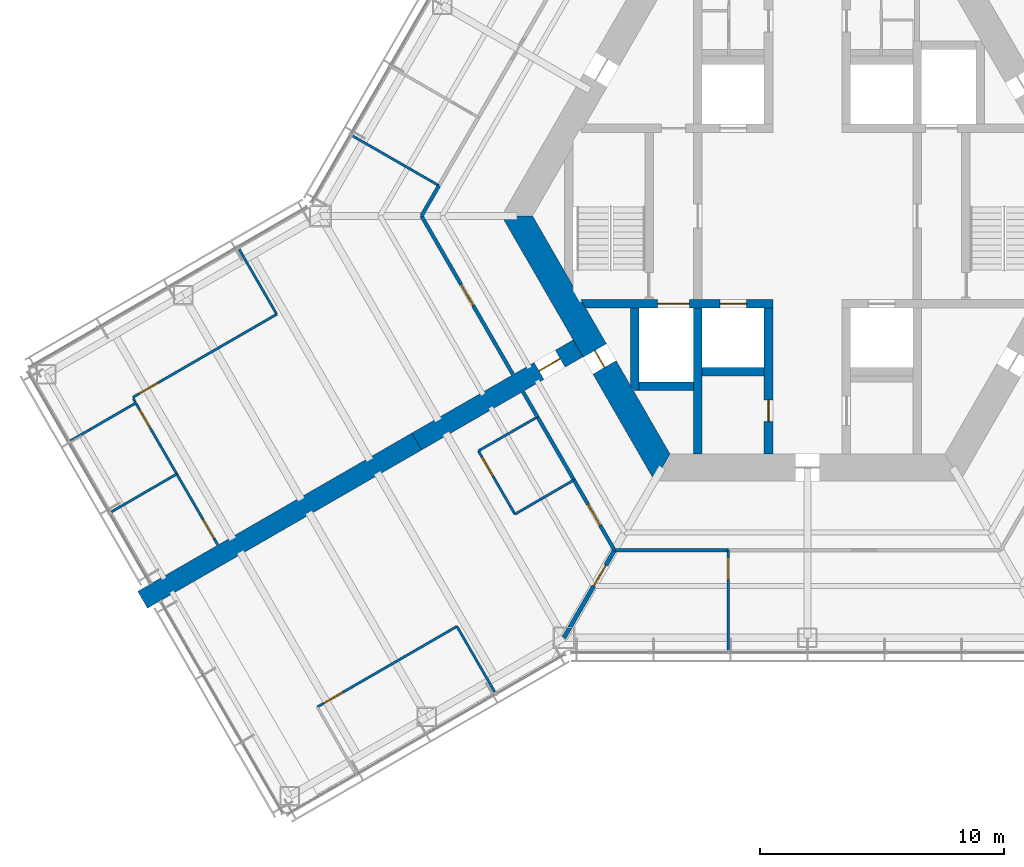
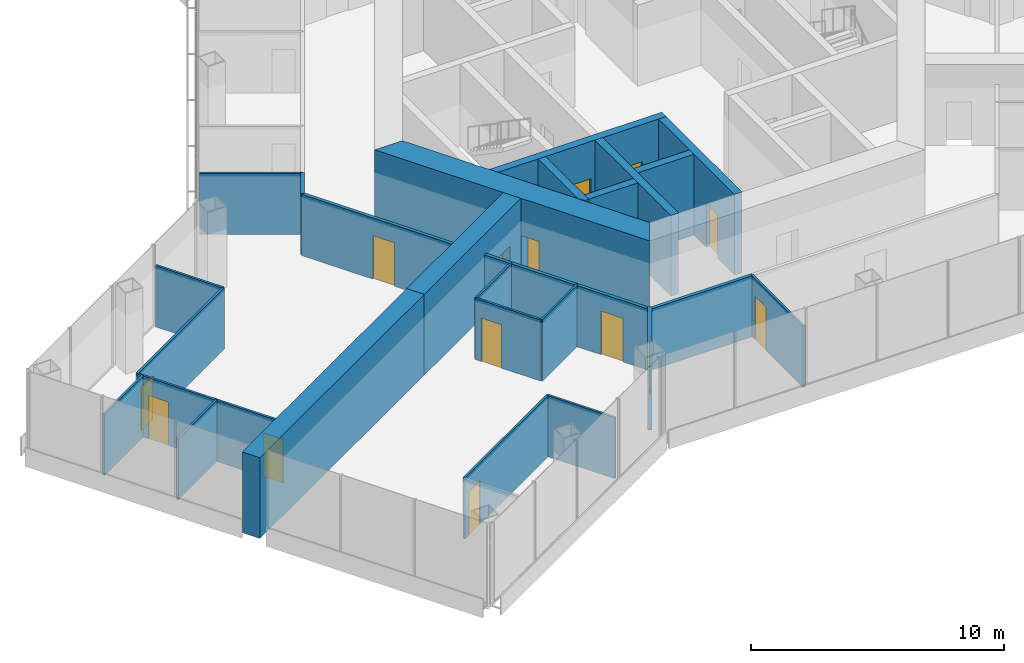
# One storey, part 12 of 19: 30 walls, 14 doors, 14 openings.
"""IFC4 building model written with IfcOpenShell, lengths in metres."""

from ifc_helpers import new_model, si_unit, direction, frame, frame_2d, origin, place, context, subcontext, project, spatial, polyline, rectangle, outline, extrude, material, layer, layer_set, type_object, element, fill, save


model = new_model("IFC4")

# Units and contexts
model_context = context("Model", 3, precision=1e-05, world=origin(), true_north=direction((0.0, 1.0)))
body_context = subcontext(model_context, "Body", "Model", "MODEL_VIEW")
ifc_project = project(units=[si_unit("LENGTHUNIT", "METRE"), si_unit("AREAUNIT", "SQUARE_METRE"), si_unit("VOLUMEUNIT", "CUBIC_METRE"), si_unit("PLANEANGLEUNIT", "RADIAN"), si_unit("MASSUNIT", "GRAM", prefix="KILO")], contexts=[model_context])

# Site, building, storey
site_placement = place(None, origin())
site = spatial("IfcSite", under=ifc_project, at=site_placement, CompositionType="ELEMENT")
building_placement = place(site_placement, origin())
building = spatial("IfcBuilding", under=site, at=building_placement, Name="Kasaneha Research Tower", CompositionType="ELEMENT")
storey_placement = place(building_placement, frame((0.0, 0.0, 100.199951171875)))
storey = spatial("IfcBuildingStorey", under=building, at=storey_placement, Name="L25", CompositionType="ELEMENT", Elevation=100.199951171875)

# Wall, openings, doors
ifc_material_1 = material(Name="Concrete Fc80", Category="concrete")
ifc_layer_1 = layer(ifc_material_1, 0.35009765625)
ifc_layer_set_1 = layer_set([ifc_layer_1], Name="Core internal wall 350 Fc80")
wall_type_1 = type_object("IfcWallType", Name="Core internal wall 350 Fc80", PredefinedType="SHEAR", material=ifc_layer_set_1)
wall_1_placement = place(storey_placement, frame((-9.208740234375, -3.60009765625, 0.0), z_axis=(0.0, 0.0, 1.0), x_axis=(1.0, 0.0, 0.0)))
wall_1 = element("IfcWall", 1, at=wall_1_placement, inside=storey, type_object=wall_type_1, Name="Core wall W2W L25", PredefinedType="SHEAR", context=body_context, shape_type="SweptSolid", body=[
    extrude(outline(polyline([(0.10107421875, -0.175048828125), (3.058837890625, -0.175048828125), (4.35888671875, -0.175048828125), (5.608642578125, -0.175048828125), (6.708740234375, -0.175048828125), (7.78369140625, -0.175048828125), (7.78369140625, 0.175048828125), (6.708740234375, 0.175048828125), (5.608642578125, 0.175048828125), (4.35888671875, 0.175048828125), (3.058837890625, 0.175048828125), (-0.10107421875, 0.175048828125), (0.10107421875, -0.175048828125)])), origin(), (0.0, 0.0, 1.0), 3.900146484375),
])
opening_1_placement = place(wall_1_placement, frame((5.608642578125, 0.0, 0.0)))
opening_1 = element("IfcOpeningElement", 2, at=opening_1_placement, cuts=wall_1, Name="Opening LD-LO2-L25", PredefinedType="OPENING", context=body_context, shape_type="SweptSolid", body=[
    extrude(rectangle(XDim=1.10009765625, YDim=2.10009765625, at=frame_2d((0.550048828125, 1.050048828125))), frame((0.0, 0.18505859375, 0.0), z_axis=(0.0, -1.0, 0.0), x_axis=(1.0, 0.0, 0.0)), (0.0, 0.0, 1.0), 0.3701171875),
])
opening_2_placement = place(wall_1_placement, frame((3.058837890625, 0.0, 0.0)))
opening_2 = element("IfcOpeningElement", 3, at=opening_2_placement, cuts=wall_1, Name="Opening LD-FL2-L25", PredefinedType="OPENING", context=body_context, shape_type="SweptSolid", body=[
    extrude(rectangle(XDim=1.300048828125, YDim=2.10009765625, at=frame_2d((0.64990234375, 1.050048828125))), frame((0.0, 0.18505859375, 0.0), z_axis=(0.0, -1.0, 0.0), x_axis=(1.0, 0.0, 0.0)), (0.0, 0.0, 1.0), 0.3701171875),
])
ifc_material_2 = material(Name="Steel", Category="steel")
door_type_1 = type_object("IfcDoorType", Name="Lift landing door 1100x2100", OperationType="DOUBLE_DOOR_SLIDING", PredefinedType="DOOR", material=ifc_material_2)
door_1_placement = place(opening_1_placement, origin())
door_1 = element("IfcDoor", 4, at=door_1_placement, inside=storey, type_object=door_type_1, Name="Landing door LO2 LD-LO2-L25", OperationType="DOUBLE_DOOR_SLIDING", OverallHeight=2.10009765625, OverallWidth=1.10009765625, PredefinedType="DOOR", context=body_context, shape_type="SweptSolid", body=[
    extrude(rectangle(XDim=1.10009765625, YDim=2.10009765625, at=frame_2d((0.550048828125, 1.050048828125))), frame((0.0, 0.02490234375, 0.0), z_axis=(0.0, -1.0, 0.0), x_axis=(1.0, 0.0, 0.0)), (0.0, 0.0, 1.0), 0.050048828125),
])
fill(opening_1, door_1)
ifc_material_3 = material(Name="Steel", Category="steel")
door_type_2 = type_object("IfcDoorType", Name="Lift landing door 1300x2100", OperationType="DOUBLE_DOOR_SLIDING", PredefinedType="DOOR", material=ifc_material_3)
door_2_placement = place(opening_2_placement, origin())
door_2 = element("IfcDoor", 5, at=door_2_placement, inside=storey, type_object=door_type_2, Name="Landing door FL2 LD-FL2-L25", OperationType="DOUBLE_DOOR_SLIDING", OverallHeight=2.10009765625, OverallWidth=1.300048828125, PredefinedType="DOOR", context=body_context, shape_type="SweptSolid", body=[
    extrude(rectangle(XDim=1.300048828125, YDim=2.10009765625, at=frame_2d((0.64990234375, 1.050048828125))), frame((0.0, 0.02490234375, 0.0), z_axis=(0.0, -1.0, 0.0), x_axis=(1.0, 0.0, 0.0)), (0.0, 0.0, 1.0), 0.050048828125),
])
fill(opening_2, door_2)

# Wall, opening, door
wall_2_placement = place(storey_placement, frame((-1.60009765625, -3.77490234375, 0.0), z_axis=(0.0, 0.0, 1.0), x_axis=(0.0, -1.0, 0.0)))
wall_2 = element("IfcWall", 6, at=wall_2_placement, inside=storey, type_object=wall_type_1, Name="Core wall CSW L25", PredefinedType="SHEAR", context=body_context, shape_type="SweptSolid", body=[
    extrude(rectangle(XDim=6.0, YDim=0.35009765625, at=frame_2d((3.0, 0.0))), origin(), (0.0, 0.0, 1.0), 3.900146484375),
])
opening_3_placement = place(wall_2_placement, frame((3.77490234375, 0.0, 0.0)))
opening_3 = element("IfcOpeningElement", 7, at=opening_3_placement, cuts=wall_2, Name="Opening L25-D16", PredefinedType="OPENING", context=body_context, shape_type="SweptSolid", body=[
    extrude(rectangle(XDim=0.89990234375, YDim=2.10009765625, at=frame_2d((0.449951171875, 1.050048828125))), frame((0.0, 0.18505859375, 0.0), z_axis=(0.0, -1.0, 0.0), x_axis=(1.0, 0.0, 0.0)), (0.0, 0.0, 1.0), 0.3701171875),
])
ifc_material_4 = material(Name="Steel", Category="steel")
door_type_3 = type_object("IfcDoorType", Name="Riser access door FD60 900x2100", OperationType="NOTDEFINED", PredefinedType="DOOR", material=ifc_material_4)
door_3_placement = place(opening_3_placement, origin())
door_3 = element("IfcDoor", 8, at=door_3_placement, inside=storey, type_object=door_type_3, Name="Electrical riser door L25-D16", OperationType="SINGLE_SWING_LEFT", OverallHeight=2.10009765625, OverallWidth=0.89990234375, PredefinedType="DOOR", context=body_context, shape_type="SweptSolid", body=[
    extrude(rectangle(XDim=0.89990234375, YDim=2.10009765625, at=frame_2d((0.449951171875, 1.050048828125))), frame((0.0, 0.02490234375, 0.0), z_axis=(0.0, -1.0, 0.0), x_axis=(1.0, 0.0, 0.0)), (0.0, 0.0, 1.0), 0.050048828125),
])
fill(opening_3, door_3)

# Walls
wall_3_placement = place(storey_placement, frame((-4.5, -3.77490234375, 0.0), z_axis=(0.0, 0.0, 1.0), x_axis=(0.0, -1.0, 0.0)))
element("IfcWall", 9, at=wall_3_placement, inside=storey, type_object=wall_type_1, Name="Core wall SSW L25", PredefinedType="SHEAR", context=body_context, shape_type="SweptSolid", body=[
    extrude(rectangle(XDim=6.0, YDim=0.35009765625, at=frame_2d((3.0, 0.0))), origin(), (0.0, 0.0, 1.0), 3.900146484375),
])
wall_4_placement = place(storey_placement, frame((-4.324951171875, -6.39990234375, 0.0), z_axis=(0.0, 0.0, 1.0), x_axis=(1.0, 0.0, 0.0)))
element("IfcWall", 10, at=wall_4_placement, inside=storey, type_object=wall_type_1, Name="Core wall S1S L25", PredefinedType="SHEAR", context=body_context, shape_type="SweptSolid", body=[
    extrude(rectangle(XDim=2.550048828125, YDim=0.35009765625, at=frame_2d((1.27490234375, 0.0))), origin(), (0.0, 0.0, 1.0), 3.900146484375),
])
wall_5_placement = place(storey_placement, frame((-6.925048828125, -7.0, 0.0), z_axis=(0.0, 0.0, 1.0), x_axis=(1.0, 0.0, 0.0)))
element("IfcWall", 11, at=wall_5_placement, inside=storey, type_object=wall_type_1, Name="Core wall F2S L25", PredefinedType="SHEAR", context=body_context, shape_type="SweptSolid", body=[
    extrude(rectangle(XDim=2.25, YDim=0.35009765625, at=frame_2d((1.125, 0.0))), origin(), (0.0, 0.0, 1.0), 3.900146484375),
])
wall_6_placement = place(storey_placement, frame((-7.10009765625, -3.77490234375, 0.0), z_axis=(0.0, 0.0, 1.0), x_axis=(0.0, -1.0, 0.0)))
element("IfcWall", 12, at=wall_6_placement, inside=storey, type_object=wall_type_1, Name="Core wall F2W L25", PredefinedType="SHEAR", context=body_context, shape_type="SweptSolid", body=[
    extrude(outline(polyline([(0.0, -0.175048828125), (3.174560546875, -0.175048828125), (3.400146484375, 0.0), (3.400146484375, 0.175048828125), (0.0, 0.175048828125), (0.0, -0.175048828125)])), origin(), (0.0, 0.0, 1.0), 3.900146484375),
])

# Wall, opening, door
ifc_material_5 = material(Name="Concrete Fc80", Category="concrete")
ifc_layer_2 = layer(ifc_material_5, 1.10009765625)
ifc_layer_set_2 = layer_set([ifc_layer_2], Name="Core wall 1100 Fc80")
wall_type_2 = type_object("IfcWallType", Name="Core wall 1100 Fc80", PredefinedType="SHEAR", material=ifc_layer_set_2)
wall_7_placement = place(storey_placement, frame((-11.92236328125, 0.0, 0.0), z_axis=(0.0, 0.0, 1.0), x_axis=(0.500004296715, -0.866022923061, 0.0)))
wall_7 = element("IfcWall", 13, at=wall_7_placement, inside=storey, type_object=wall_type_2, Name="Core wall 210 L25", PredefinedType="SHEAR", context=body_context, shape_type="SweptSolid", body=[
    extrude(outline(polyline([(-0.317626953125, -0.550048828125), (6.381103515625, -0.550048828125), (7.18115234375, -0.550048828125), (12.239990234375, -0.550048828125), (11.604736328125, 0.550048828125), (7.18115234375, 0.550048828125), (6.381103515625, 0.550048828125), (0.317626953125, 0.550048828125), (-0.317626953125, -0.550048828125)])), origin(), (0.0, 0.0, 1.0), 3.900146484375),
])
opening_4_placement = place(wall_7_placement, frame((6.381103515625, 0.0, 0.0)))
opening_4 = element("IfcOpeningElement", 14, at=opening_4_placement, cuts=wall_7, Name="Opening L25-D06", PredefinedType="OPENING", context=body_context, shape_type="SweptSolid", body=[
    extrude(rectangle(XDim=0.800048828125, YDim=2.10009765625, at=frame_2d((0.39990234375, 1.050048828125))), frame((0.0, 0.56005859375, 0.0), z_axis=(0.0, -1.0, 0.0), x_axis=(1.0, 0.0, 0.0)), (0.0, 0.0, 1.0), 1.1201171875),
])
ifc_material_6 = material(Name="Steel", Category="steel")
door_type_4 = type_object("IfcDoorType", Name="Riser access door FD60 800x2100", OperationType="NOTDEFINED", PredefinedType="DOOR", material=ifc_material_6)
door_4_placement = place(opening_4_placement, origin())
door_4 = element("IfcDoor", 15, at=door_4_placement, inside=storey, type_object=door_type_4, Name="Duct riser door L25-D06", OperationType="SINGLE_SWING_RIGHT", OverallHeight=2.10009765625, OverallWidth=0.800048828125, PredefinedType="DOOR", context=body_context, shape_type="SweptSolid", body=[
    extrude(rectangle(XDim=0.800048828125, YDim=2.10009765625, at=frame_2d((0.39990234375, 1.050048828125))), frame((0.0, 0.02490234375, 0.0), z_axis=(0.0, -1.0, 0.0), x_axis=(1.0, 0.0, 0.0)), (0.0, 0.0, 1.0), 0.050048828125),
])
fill(opening_4, door_4)

# Walls
ifc_material_7 = material(Name="Gypsum board on steel studs, one layer each side", Category="steel")
ifc_layer_3 = layer(ifc_material_7, 0.10009765625)
ifc_layer_set_3 = layer_set([ifc_layer_3], Name="Office partition 100")
wall_type_3 = type_object("IfcWallType", Name="Office partition 100", PredefinedType="PARTITIONING", material=ifc_layer_set_3)
wall_8_placement = place(storey_placement, frame((-27.5751953125, -7.677978515625, 0.0), z_axis=(0.0, 0.0, 1.0), x_axis=(-0.86525732426, -0.501327999232, 0.0)))
element("IfcWall", 16, at=wall_8_placement, inside=storey, type_object=wall_type_3, Name="Office partition FBN07 L25", PredefinedType="PARTITIONING", context=body_context, shape_type="SweptSolid", body=[
    extrude(rectangle(XDim=3.1005859375, YDim=0.10009765625, at=frame_2d((1.55029296875, 0.0))), origin(), (0.0, 0.0, 1.0), 2.949951171875),
])
wall_9_placement = place(storey_placement, frame((-23.332275390625, -1.36962890625, 0.0), z_axis=(0.0, 0.0, 1.0), x_axis=(0.499992328818, -0.866029832698, 0.0)))
element("IfcWall", 17, at=wall_9_placement, inside=storey, type_object=wall_type_3, Name="Office partition FBN08 L25", PredefinedType="PARTITIONING", context=body_context, shape_type="SweptSolid", body=[
    extrude(rectangle(XDim=3.080078125, YDim=0.10009765625, at=frame_2d((1.5400390625, 0.0))), origin(), (0.0, 0.0, 1.0), 2.949951171875),
])

# Wall, opening, door
wall_10_placement = place(storey_placement, frame((-21.792236328125, -4.037109375, 0.0), z_axis=(0.0, 0.0, 1.0), x_axis=(-0.865970027115, -0.500095902942, 0.0)))
wall_10 = element("IfcWall", 18, at=wall_10_placement, inside=storey, type_object=wall_type_3, Name="Office partition FBN09 L25", PredefinedType="PARTITIONING", context=body_context, shape_type="SweptSolid", body=[
    extrude(rectangle(XDim=6.828369140625, YDim=0.10009765625, at=frame_2d((3.4140625, 0.0))), origin(), (0.0, 0.0, 1.0), 2.949951171875),
])
opening_5_placement = place(wall_10_placement, frame((5.62841796875, 0.0, 0.0)))
opening_5 = element("IfcOpeningElement", 19, at=opening_5_placement, cuts=wall_10, Name="Opening L25-D42", PredefinedType="OPENING", context=body_context, shape_type="SweptSolid", body=[
    extrude(rectangle(XDim=0.89990234375, YDim=2.10009765625, at=frame_2d((0.449951171875, 1.050048828125))), frame((0.0, 0.06005859375, 0.0), z_axis=(0.0, -1.0, 0.0), x_axis=(1.0, 0.0, 0.0)), (0.0, 0.0, 1.0), 0.1201171875),
])
ifc_material_8 = material(Name="Timber veneer", Category="wood")
door_type_5 = type_object("IfcDoorType", Name="Office door 900x2100", OperationType="SINGLE_SWING_LEFT", PredefinedType="DOOR", material=ifc_material_8)
door_5_placement = place(opening_5_placement, origin())
door_5 = element("IfcDoor", 20, at=door_5_placement, inside=storey, type_object=door_type_5, Name="Manager's office door L25-D42", OperationType="SINGLE_SWING_RIGHT", OverallHeight=2.10009765625, OverallWidth=0.89990234375, PredefinedType="DOOR", context=body_context, shape_type="SweptSolid", body=[
    extrude(rectangle(XDim=0.89990234375, YDim=2.10009765625, at=frame_2d((0.449951171875, 1.050048828125))), frame((0.0, 0.02490234375, 0.0), z_axis=(0.0, -1.0, 0.0), x_axis=(1.0, 0.0, 0.0)), (0.0, 0.0, 1.0), 0.050048828125),
])
fill(opening_5, door_5)

# Walls
wall_11_placement = place(storey_placement, frame((-15.13037109375, 1.243408203125, 0.0), z_axis=(0.0, 0.0, 1.0), x_axis=(-0.866568290476, 0.499058511541, 0.0)))
element("IfcWall", 21, at=wall_11_placement, inside=storey, type_object=wall_type_3, Name="Office partition FBN10 L25", PredefinedType="PARTITIONING", context=body_context, shape_type="SweptSolid", body=[
    extrude(rectangle(XDim=4.075439453125, YDim=0.10009765625, at=frame_2d((2.03759765625, 0.0))), origin(), (0.0, 0.0, 1.0), 2.949951171875),
])
wall_12_placement = place(storey_placement, frame((-25.892578125, -10.593994140625, 0.0), z_axis=(0.0, 0.0, 1.0), x_axis=(-0.865232104039, -0.50137152506, 0.0)))
element("IfcWall", 22, at=wall_12_placement, inside=storey, type_object=wall_type_3, Name="Office partition FBN12 L25", PredefinedType="PARTITIONING", context=body_context, shape_type="SweptSolid", body=[
    extrude(rectangle(XDim=3.099853515625, YDim=0.10009765625, at=frame_2d((1.5498046875, 0.0))), origin(), (0.0, 0.0, 1.0), 2.949951171875),
])

# Wall, opening, door
wall_13_placement = place(storey_placement, frame((-27.576904296875, -7.6845703125, 0.0), z_axis=(0.0, 0.0, 1.0), x_axis=(0.499929606556, -0.866066041644, 0.0)))
wall_13 = element("IfcWall", 23, at=wall_13_placement, inside=storey, type_object=wall_type_3, Name="Office partition FBN13 L25", PredefinedType="PARTITIONING", context=body_context, shape_type="SweptSolid", body=[
    extrude(rectangle(XDim=3.36669921875, YDim=0.10009765625, at=frame_2d((1.683349609375, 0.0))), origin(), (0.0, 0.0, 1.0), 2.949951171875),
])
opening_6_placement = place(wall_13_placement, frame((0.300048828125, 0.0, 0.0)))
opening_6 = element("IfcOpeningElement", 24, at=opening_6_placement, cuts=wall_13, Name="Opening L25-D44", PredefinedType="OPENING", context=body_context, shape_type="SweptSolid", body=[
    extrude(rectangle(XDim=0.89990234375, YDim=2.10009765625, at=frame_2d((0.449951171875, 1.050048828125))), frame((0.0, 0.06005859375, 0.0), z_axis=(0.0, -1.0, 0.0), x_axis=(1.0, 0.0, 0.0)), (0.0, 0.0, 1.0), 0.1201171875),
])
door_6_placement = place(opening_6_placement, origin())
door_6 = element("IfcDoor", 25, at=door_6_placement, inside=storey, type_object=door_type_5, Name="Manager's office door L25-D44", OperationType="SINGLE_SWING_LEFT", OverallHeight=2.10009765625, OverallWidth=0.89990234375, PredefinedType="DOOR", context=body_context, shape_type="SweptSolid", body=[
    extrude(rectangle(XDim=0.89990234375, YDim=2.10009765625, at=frame_2d((0.449951171875, 1.050048828125))), frame((0.0, 0.02490234375, 0.0), z_axis=(0.0, -1.0, 0.0), x_axis=(1.0, 0.0, 0.0)), (0.0, 0.0, 1.0), 0.050048828125),
])
fill(opening_6, door_6)

wall_14_placement = place(storey_placement, frame((-25.893798828125, -10.600341796875, 0.0), z_axis=(0.0, 0.0, 1.0), x_axis=(0.501088030279, -0.865396317251, 0.0)))
wall_14 = element("IfcWall", 26, at=wall_14_placement, inside=storey, type_object=wall_type_3, Name="Office partition FBN14 L25", PredefinedType="PARTITIONING", context=body_context, shape_type="SweptSolid", body=[
    extrude(rectangle(XDim=3.3466796875, YDim=0.10009765625, at=frame_2d((1.67333984375, 0.0))), origin(), (0.0, 0.0, 1.0), 2.949951171875),
])
opening_7_placement = place(wall_14_placement, frame((2.146728515625, 0.0, 0.0)))
opening_7 = element("IfcOpeningElement", 27, at=opening_7_placement, cuts=wall_14, Name="Opening L25-D45", PredefinedType="OPENING", context=body_context, shape_type="SweptSolid", body=[
    extrude(rectangle(XDim=0.89990234375, YDim=2.10009765625, at=frame_2d((0.449951171875, 1.050048828125))), frame((0.0, 0.06005859375, 0.0), z_axis=(0.0, -1.0, 0.0), x_axis=(1.0, 0.0, 0.0)), (0.0, 0.0, 1.0), 0.1201171875),
])
door_7_placement = place(opening_7_placement, origin())
door_7 = element("IfcDoor", 28, at=door_7_placement, inside=storey, type_object=door_type_5, Name="Manager's office door L25-D45", OperationType="SINGLE_SWING_RIGHT", OverallHeight=2.10009765625, OverallWidth=0.89990234375, PredefinedType="DOOR", context=body_context, shape_type="SweptSolid", body=[
    extrude(rectangle(XDim=0.89990234375, YDim=2.10009765625, at=frame_2d((0.449951171875, 1.050048828125))), frame((0.0, 0.02490234375, 0.0), z_axis=(0.0, -1.0, 0.0), x_axis=(1.0, 0.0, 0.0)), (0.0, 0.0, 1.0), 0.050048828125),
])
fill(opening_7, door_7)

# Wall
wall_15_placement = place(storey_placement, frame((-13.510986328125, -9.648193359375, 0.0), z_axis=(0.0, 0.0, 1.0), x_axis=(0.86679607088, 0.498662783358, 0.0)))
element("IfcWall", 29, at=wall_15_placement, inside=storey, type_object=wall_type_3, Name="Office partition FBS04 L25", PredefinedType="PARTITIONING", context=body_context, shape_type="SweptSolid", body=[
    extrude(rectangle(XDim=2.800048828125, YDim=0.10009765625, at=frame_2d((1.39990234375, 0.0))), origin(), (0.0, 0.0, 1.0), 2.949951171875),
])

# Wall, opening, door
wall_16_placement = place(storey_placement, frame((-12.010986328125, -12.24609375, 0.0), z_axis=(0.0, 0.0, 1.0), x_axis=(-0.50002537861, 0.866010750942, 0.0)))
wall_16 = element("IfcWall", 30, at=wall_16_placement, inside=storey, type_object=wall_type_3, Name="Office partition FBS05 L25", PredefinedType="PARTITIONING", context=body_context, shape_type="SweptSolid", body=[
    extrude(rectangle(XDim=2.999755859375, YDim=0.10009765625, at=frame_2d((1.5, 0.0))), origin(), (0.0, 0.0, 1.0), 2.949951171875),
])
opening_8_placement = place(wall_16_placement, frame((1.800048828125, 0.0, 0.0)))
opening_8 = element("IfcOpeningElement", 31, at=opening_8_placement, cuts=wall_16, Name="Opening L25-D48", PredefinedType="OPENING", context=body_context, shape_type="SweptSolid", body=[
    extrude(rectangle(XDim=0.89990234375, YDim=2.10009765625, at=frame_2d((0.449951171875, 1.050048828125))), frame((0.0, 0.06005859375, 0.0), z_axis=(0.0, -1.0, 0.0), x_axis=(1.0, 0.0, 0.0)), (0.0, 0.0, 1.0), 0.1201171875),
])
door_8_placement = place(opening_8_placement, origin())
door_8 = element("IfcDoor", 32, at=door_8_placement, inside=storey, type_object=door_type_5, Name="Pantry door L25-D48", OperationType="SINGLE_SWING_RIGHT", OverallHeight=2.10009765625, OverallWidth=0.89990234375, PredefinedType="DOOR", context=body_context, shape_type="SweptSolid", body=[
    extrude(rectangle(XDim=0.89990234375, YDim=2.10009765625, at=frame_2d((0.449951171875, 1.050048828125))), frame((0.0, 0.02490234375, 0.0), z_axis=(0.0, -1.0, 0.0), x_axis=(1.0, 0.0, 0.0)), (0.0, 0.0, 1.0), 0.050048828125),
])
fill(opening_8, door_8)

# Wall
wall_17_placement = place(storey_placement, frame((-9.58837890625, -10.84228515625, 0.0), z_axis=(0.0, 0.0, 1.0), x_axis=(-0.865233198925, -0.501369635576, 0.0)))
element("IfcWall", 33, at=wall_17_placement, inside=storey, type_object=wall_type_3, Name="Office partition FBS06 L25", PredefinedType="PARTITIONING", context=body_context, shape_type="SweptSolid", body=[
    extrude(rectangle(XDim=2.800048828125, YDim=0.10009765625, at=frame_2d((1.39990234375, 0.0))), origin(), (0.0, 0.0, 1.0), 2.949951171875),
])

# Wall, opening, door
wall_18_placement = place(storey_placement, frame((-20.125, -20.163818359375, 0.0), z_axis=(0.0, 0.0, 1.0), x_axis=(0.866030817826, 0.499990622488, 0.0)))
wall_18 = element("IfcWall", 34, at=wall_18_placement, inside=storey, type_object=wall_type_3, Name="Office partition FBS07 L25", PredefinedType="PARTITIONING", context=body_context, shape_type="SweptSolid", body=[
    extrude(rectangle(XDim=6.619873046875, YDim=0.10009765625, at=frame_2d((3.31005859375, 0.0))), origin(), (0.0, 0.0, 1.0), 2.949951171875),
])
opening_9_placement = place(wall_18_placement, frame((0.300048828125, 0.0, 0.0)))
opening_9 = element("IfcOpeningElement", 35, at=opening_9_placement, cuts=wall_18, Name="Opening L25-D49", PredefinedType="OPENING", context=body_context, shape_type="SweptSolid", body=[
    extrude(rectangle(XDim=0.89990234375, YDim=2.10009765625, at=frame_2d((0.449951171875, 1.050048828125))), frame((0.0, 0.06005859375, 0.0), z_axis=(0.0, -1.0, 0.0), x_axis=(1.0, 0.0, 0.0)), (0.0, 0.0, 1.0), 0.1201171875),
])
door_9_placement = place(opening_9_placement, origin())
door_9 = element("IfcDoor", 36, at=door_9_placement, inside=storey, type_object=door_type_5, Name="Manager's office door L25-D49", OperationType="SINGLE_SWING_LEFT", OverallHeight=2.10009765625, OverallWidth=0.89990234375, PredefinedType="DOOR", context=body_context, shape_type="SweptSolid", body=[
    extrude(rectangle(XDim=0.89990234375, YDim=2.10009765625, at=frame_2d((0.449951171875, 1.050048828125))), frame((0.0, 0.02490234375, 0.0), z_axis=(0.0, -1.0, 0.0), x_axis=(1.0, 0.0, 0.0)), (0.0, 0.0, 1.0), 0.050048828125),
])
fill(opening_9, door_9)

# Wall
wall_19_placement = place(storey_placement, frame((-14.39208984375, -16.85400390625, 0.0), z_axis=(0.0, 0.0, 1.0), x_axis=(0.499933790963, -0.866063626216, 0.0)))
element("IfcWall", 37, at=wall_19_placement, inside=storey, type_object=wall_type_3, Name="Office partition FBS09 L25", PredefinedType="PARTITIONING", context=body_context, shape_type="SweptSolid", body=[
    extrude(rectangle(XDim=3.10009765625, YDim=0.10009765625, at=frame_2d((1.550048828125, 0.0))), origin(), (0.0, 0.0, 1.0), 2.949951171875),
])

# Wall, opening, door
wall_20_placement = place(storey_placement, frame((-3.2509765625, -13.72509765625, 0.0), z_axis=(0.0, 0.0, 1.0), x_axis=(0.001125791785, -0.999999366296, 0.0)))
wall_20 = element("IfcWall", 38, at=wall_20_placement, inside=storey, type_object=wall_type_3, Name="Office partition FCS12 L25", PredefinedType="PARTITIONING", context=body_context, shape_type="SweptSolid", body=[
    extrude(rectangle(XDim=4.120361328125, YDim=0.10009765625, at=frame_2d((2.06005859375, 0.0))), origin(), (0.0, 0.0, 1.0), 2.949951171875),
])
opening_10_placement = place(wall_20_placement, frame((0.300048828125, 0.0, 0.0)))
opening_10 = element("IfcOpeningElement", 39, at=opening_10_placement, cuts=wall_20, Name="Opening L25-D56", PredefinedType="OPENING", context=body_context, shape_type="SweptSolid", body=[
    extrude(rectangle(XDim=0.89990234375, YDim=2.10009765625, at=frame_2d((0.449951171875, 1.050048828125))), frame((0.0, 0.06005859375, 0.0), z_axis=(0.0, -1.0, 0.0), x_axis=(1.0, 0.0, 0.0)), (0.0, 0.0, 1.0), 0.1201171875),
])
door_10_placement = place(opening_10_placement, origin())
door_10 = element("IfcDoor", 40, at=door_10_placement, inside=storey, type_object=door_type_5, Name="Meeting room door L25-D56", OperationType="SINGLE_SWING_LEFT", OverallHeight=2.10009765625, OverallWidth=0.89990234375, PredefinedType="DOOR", context=body_context, shape_type="SweptSolid", body=[
    extrude(rectangle(XDim=0.89990234375, YDim=2.10009765625, at=frame_2d((0.449951171875, 1.050048828125))), frame((0.0, 0.02490234375, 0.0), z_axis=(0.0, -1.0, 0.0), x_axis=(1.0, 0.0, 0.0)), (0.0, 0.0, 1.0), 0.050048828125),
])
fill(opening_10, door_10)

# Wall
wall_21_placement = place(storey_placement, frame((-27.680419921875, -7.495361328125, 0.0), z_axis=(0.0, 0.0, 1.0), x_axis=(0.498100166939, -0.867119497933, 0.0)))
element("IfcWall", 41, at=wall_21_placement, inside=storey, type_object=wall_type_3, Name="Office partition closer PT5 L25", PredefinedType="PARTITIONING", context=body_context, shape_type="SweptSolid", body=[
    extrude(rectangle(XDim=0.160888671875, YDim=0.10009765625, at=frame_2d((0.08056640625, 0.0))), origin(), (0.0, 0.0, 1.0), 2.949951171875),
])

# Wall, opening, door
ifc_material_9 = material(Name="Concrete Fc80", Category="concrete")
ifc_layer_4 = layer(ifc_material_9, 0.800048828125)
ifc_layer_set_4 = layer_set([ifc_layer_4], Name="Spine wall 800 Fc80")
wall_type_4 = type_object("IfcWallType", Name="Spine wall 800 Fc80", PredefinedType="SHEAR", material=ifc_layer_set_4)
wall_22_placement = place(storey_placement, frame((-9.41796875, -5.4375, 0.0), z_axis=(0.0, 0.0, 1.0), x_axis=(-0.866029782078, -0.499992416496, 0.0)))
wall_22 = element("IfcWall", 42, at=wall_22_placement, inside=storey, type_object=wall_type_4, Name="Spine wall B L25", PredefinedType="SHEAR", context=body_context, shape_type="SweptSolid", body=[
    extrude(rectangle(XDim=7.6455078125, YDim=0.800048828125, at=frame_2d((3.82275390625, 0.0))), origin(), (0.0, 0.0, 1.0), 3.900146484375),
])
opening_11_placement = place(wall_22_placement, frame((0.85009765625, 0.0, 0.0)))
opening_11 = element("IfcOpeningElement", 43, at=opening_11_placement, cuts=wall_22, Name="Opening L25-D18", PredefinedType="OPENING", context=body_context, shape_type="SweptSolid", body=[
    extrude(rectangle(XDim=1.0, YDim=2.10009765625, at=frame_2d((0.5, 1.050048828125))), frame((0.0, 0.41015625, 0.0), z_axis=(0.0, -1.0, 0.0), x_axis=(1.0, 0.0, 0.0)), (0.0, 0.0, 1.0), 0.820068359375),
])
ifc_material_10 = material(Name="Steel", Category="steel")
door_type_6 = type_object("IfcDoorType", Name="Specified fire door FD60 1000x2100", OperationType="NOTDEFINED", PredefinedType="DOOR", material=ifc_material_10)
door_11_placement = place(opening_11_placement, origin())
door_11 = element("IfcDoor", 44, at=door_11_placement, inside=storey, type_object=door_type_6, Name="Spine doorway B L25-D18", OperationType="SINGLE_SWING_LEFT", OverallHeight=2.10009765625, OverallWidth=1.0, PredefinedType="DOOR", context=body_context, shape_type="SweptSolid", body=[
    extrude(rectangle(XDim=1.0, YDim=2.10009765625, at=frame_2d((0.5, 1.050048828125))), frame((0.0, 0.02490234375, 0.0), z_axis=(0.0, -1.0, 0.0), x_axis=(1.0, 0.0, 0.0)), (0.0, 0.0, 1.0), 0.050048828125),
])
fill(opening_11, door_11)

# Walls
wall_23_placement = place(storey_placement, frame((-16.039306640625, -9.26025390625, 0.0), z_axis=(0.0, 0.0, 1.0), x_axis=(-0.866024837091, -0.50000098154, 0.0)))
element("IfcWall", 45, at=wall_23_placement, inside=storey, type_object=wall_type_4, Name="Spine wall B wing L25", PredefinedType="SHEAR", context=body_context, shape_type="SweptSolid", body=[
    extrude(rectangle(XDim=13.0, YDim=0.800048828125, at=frame_2d((6.5, 0.0))), origin(), (0.0, 0.0, 1.0), 3.900146484375),
])
ifc_material_11 = material(Name="Gypsum board on steel studs, two layers each side", Category="steel")
ifc_layer_5 = layer(ifc_material_11, 0.14990234375)
ifc_layer_set_5 = layer_set([ifc_layer_5], Name="Suite partition 150")
wall_type_5 = type_object("IfcWallType", Name="Suite partition 150", PredefinedType="PARTITIONING", material=ifc_layer_set_5)
wall_24_placement = place(storey_placement, frame((-15.848388671875, 0.0, 0.0), z_axis=(0.0, 0.0, 1.0), x_axis=(0.500070785171, 0.86598453209, 0.0)))
element("IfcWall", 46, at=wall_24_placement, inside=storey, type_object=wall_type_5, Name="Suite partition FBN04 L25", PredefinedType="PARTITIONING", context=body_context, shape_type="SweptSolid", body=[
    extrude(rectangle(XDim=1.435791015625, YDim=0.14990234375, at=frame_2d((0.7177734375, 0.0))), origin(), (0.0, 0.0, 1.0), 2.949951171875),
])

# Wall, opening, door
wall_25_placement = place(storey_placement, frame((-12.09619140625, -6.498779296875, 0.0), z_axis=(0.0, 0.0, 1.0), x_axis=(-0.500012521841, 0.866018174175, 0.0)))
wall_25 = element("IfcWall", 47, at=wall_25_placement, inside=storey, type_object=wall_type_5, Name="Suite partition FBN05 L25", PredefinedType="PARTITIONING", context=body_context, shape_type="SweptSolid", body=[
    extrude(rectangle(XDim=7.504150390625, YDim=0.14990234375, at=frame_2d((3.751953125, 0.0))), origin(), (0.0, 0.0, 1.0), 2.949951171875),
])
opening_12_placement = place(wall_25_placement, frame((3.252197265625, 0.0, 0.0)))
opening_12 = element("IfcOpeningElement", 48, at=opening_12_placement, cuts=wall_25, Name="Opening L25-D40", PredefinedType="OPENING", context=body_context, shape_type="SweptSolid", body=[
    extrude(rectangle(XDim=1.0, YDim=2.10009765625, at=frame_2d((0.5, 1.050048828125))), frame((0.0, 0.0849609375, 0.0), z_axis=(0.0, -1.0, 0.0), x_axis=(1.0, 0.0, 0.0)), (0.0, 0.0, 1.0), 0.169921875),
])
ifc_material_12 = material(Name="Steel", Category="steel")
door_type_7 = type_object("IfcDoorType", Name="Suite entrance door FD60 1000x2100", OperationType="NOTDEFINED", PredefinedType="DOOR", material=ifc_material_12)
door_12_placement = place(opening_12_placement, origin())
door_12 = element("IfcDoor", 49, at=door_12_placement, inside=storey, type_object=door_type_7, Name="Suite entrance door L25-D40", OperationType="SINGLE_SWING_RIGHT", OverallHeight=2.10009765625, OverallWidth=1.0, PredefinedType="DOOR", context=body_context, shape_type="SweptSolid", body=[
    extrude(rectangle(XDim=1.0, YDim=2.10009765625, at=frame_2d((0.5, 1.050048828125))), frame((0.0, 0.02490234375, 0.0), z_axis=(0.0, -1.0, 0.0), x_axis=(1.0, 0.0, 0.0)), (0.0, 0.0, 1.0), 0.050048828125),
])
fill(opening_12, door_12)

# Walls
wall_26_placement = place(storey_placement, frame((-9.583740234375, -10.8505859375, 0.0), z_axis=(0.0, 0.0, 1.0), x_axis=(-0.499977562641, 0.866038357612, 0.0)))
element("IfcWall", 50, at=wall_26_placement, inside=storey, type_object=wall_type_5, Name="Suite partition FBS01 L25", PredefinedType="PARTITIONING", context=body_context, shape_type="SweptSolid", body=[
    extrude(rectangle(XDim=3.010009765625, YDim=0.14990234375, at=frame_2d((1.5048828125, 0.0))), origin(), (0.0, 0.0, 1.0), 2.949951171875),
])
wall_27_placement = place(storey_placement, frame((-11.083984375, -8.251953125, 0.0), z_axis=(0.0, 0.0, 1.0), x_axis=(-0.500085263423, 0.865976171327, 0.0)))
element("IfcWall", 51, at=wall_27_placement, inside=storey, type_object=wall_type_5, Name="Suite partition FBS02 L25", PredefinedType="PARTITIONING", context=body_context, shape_type="SweptSolid", body=[
    extrude(rectangle(XDim=1.184326171875, YDim=0.14990234375, at=frame_2d((0.59228515625, 0.0))), origin(), (0.0, 0.0, 1.0), 2.949951171875),
])

# Wall, opening, door
wall_28_placement = place(storey_placement, frame((-7.935791015625, -13.705078125, 0.0), z_axis=(0.0, 0.0, 1.0), x_axis=(-0.499944092787, 0.866057679423, 0.0)))
wall_28 = element("IfcWall", 52, at=wall_28_placement, inside=storey, type_object=wall_type_5, Name="Suite partition FBS03 L25", PredefinedType="PARTITIONING", context=body_context, shape_type="SweptSolid", body=[
    extrude(rectangle(XDim=3.3056640625, YDim=0.14990234375, at=frame_2d((1.65283203125, 0.0))), origin(), (0.0, 0.0, 1.0), 2.949951171875),
])
opening_13_placement = place(wall_28_placement, frame((1.15283203125, 0.0, 0.0)))
opening_13 = element("IfcOpeningElement", 53, at=opening_13_placement, cuts=wall_28, Name="Opening L25-D47", PredefinedType="OPENING", context=body_context, shape_type="SweptSolid", body=[
    extrude(rectangle(XDim=1.0, YDim=2.10009765625, at=frame_2d((0.5, 1.050048828125))), frame((0.0, 0.0849609375, 0.0), z_axis=(0.0, -1.0, 0.0), x_axis=(1.0, 0.0, 0.0)), (0.0, 0.0, 1.0), 0.169921875),
])
door_13_placement = place(opening_13_placement, origin())
door_13 = element("IfcDoor", 54, at=door_13_placement, inside=storey, type_object=door_type_7, Name="Suite entrance door L25-D47", OperationType="SINGLE_SWING_RIGHT", OverallHeight=2.10009765625, OverallWidth=1.0, PredefinedType="DOOR", context=body_context, shape_type="SweptSolid", body=[
    extrude(rectangle(XDim=1.0, YDim=2.10009765625, at=frame_2d((0.5, 1.050048828125))), frame((0.0, 0.02490234375, 0.0), z_axis=(0.0, -1.0, 0.0), x_axis=(1.0, 0.0, 0.0)), (0.0, 0.0, 1.0), 0.050048828125),
])
fill(opening_13, door_13)

# Wall
wall_29_placement = place(storey_placement, frame((-3.241455078125, -13.72509765625, 0.0), z_axis=(0.0, 0.0, 1.0), x_axis=(-1.0, 0.0, 0.0)))
element("IfcWall", 55, at=wall_29_placement, inside=storey, type_object=wall_type_5, Name="Suite partition FCS02 L25", PredefinedType="PARTITIONING", context=body_context, shape_type="SweptSolid", body=[
    extrude(rectangle(XDim=4.659423828125, YDim=0.14990234375, at=frame_2d((2.32958984375, 0.0))), origin(), (0.0, 0.0, 1.0), 2.949951171875),
])

# Wall, opening, door
ifc_material_13 = material(Name="Gypsum board on steel studs, two layers each side", Category="steel")
ifc_layer_6 = layer(ifc_material_13, 0.175048828125)
ifc_layer_set_6 = layer_set([ifc_layer_6], Name="Tenancy fire partition 175")
wall_type_6 = type_object("IfcWallType", Name="Tenancy fire partition 175", PredefinedType="PARTITIONING", material=ifc_layer_set_6)
wall_30_placement = place(storey_placement, frame((-7.924072265625, -13.72509765625, 0.0), z_axis=(0.0, 0.0, 1.0), x_axis=(-0.500015991208, -0.866016171059, 0.0)))
wall_30 = element("IfcWall", 56, at=wall_30_placement, inside=storey, type_object=wall_type_6, Name="Tenancy fire partition T240 L25", PredefinedType="PARTITIONING", context=body_context, shape_type="SweptSolid", body=[
    extrude(rectangle(XDim=4.151611328125, YDim=0.175048828125, at=frame_2d((2.07568359375, 0.0))), origin(), (0.0, 0.0, 1.0), 3.050048828125),
])
opening_14_placement = place(wall_30_placement, frame((0.699951171875, 0.0, 0.0)))
opening_14 = element("IfcOpeningElement", 57, at=opening_14_placement, cuts=wall_30, Name="Opening L25-D26", PredefinedType="OPENING", context=body_context, shape_type="SweptSolid", body=[
    extrude(rectangle(XDim=1.0, YDim=2.10009765625, at=frame_2d((0.5, 1.050048828125))), frame((0.0, 0.09765625, 0.0), z_axis=(0.0, -1.0, 0.0), x_axis=(1.0, 0.0, 0.0)), (0.0, 0.0, 1.0), 0.195068359375),
])
door_14_placement = place(opening_14_placement, origin())
door_14 = element("IfcDoor", 58, at=door_14_placement, inside=storey, type_object=door_type_7, Name="Connecting door L25-D26", OperationType="SINGLE_SWING_LEFT", OverallHeight=2.10009765625, OverallWidth=1.0, PredefinedType="DOOR", context=body_context, shape_type="SweptSolid", body=[
    extrude(rectangle(XDim=1.0, YDim=2.10009765625, at=frame_2d((0.5, 1.050048828125))), frame((0.0, 0.02490234375, 0.0), z_axis=(0.0, -1.0, 0.0), x_axis=(1.0, 0.0, 0.0)), (0.0, 0.0, 1.0), 0.050048828125),
])
fill(opening_14, door_14)

save(model, "model.ifc")
